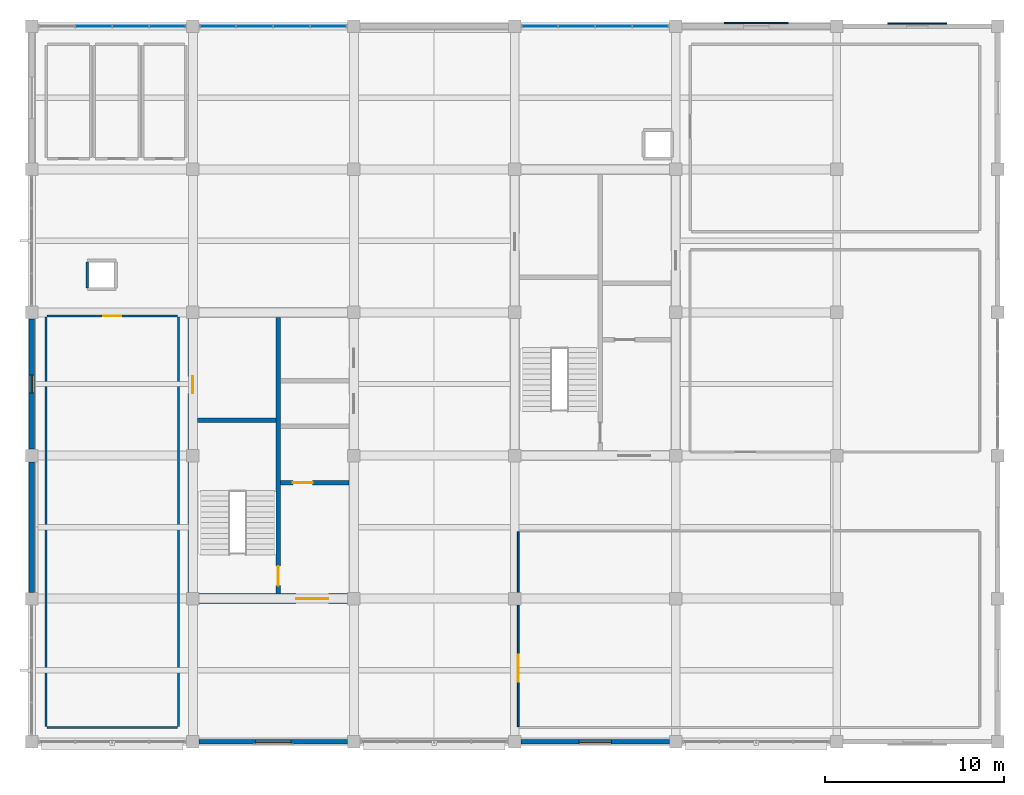
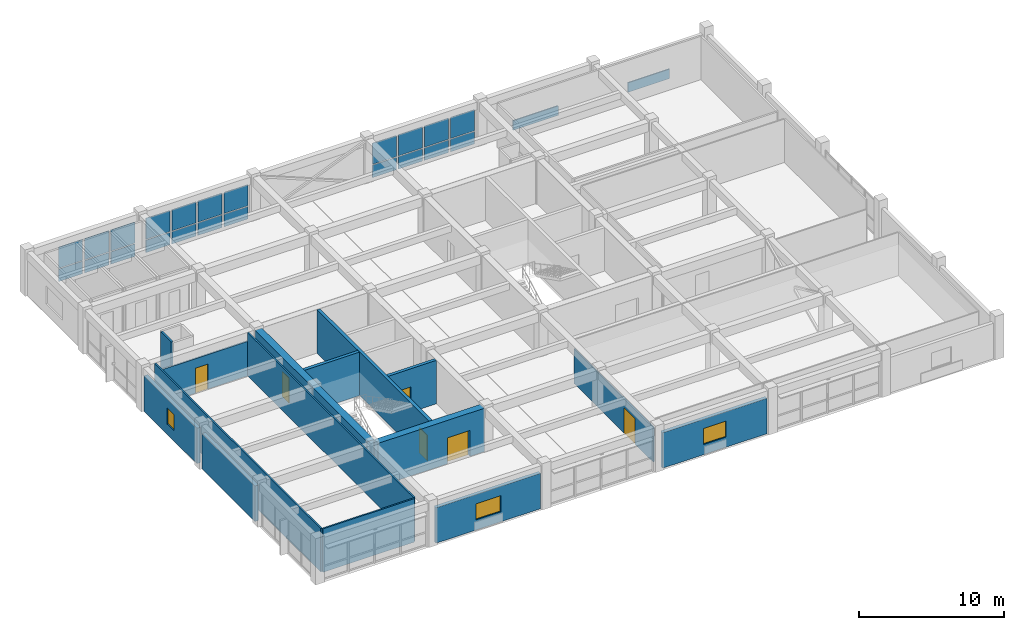
# One storey, part 10 of 13: 24 plates, 15 walls, 6 doors, 3 windows, 9 openings, 3 elements without a shape of their own.
"""IFC4 building model written with IfcOpenShell, lengths in metres."""

from ifc_helpers import new_model, si_unit, direction, frame, frame_2d, origin, place, context, subcontext, project, spatial, rectangle, extrude, material, layer, layer_set, type_object, element, fill, aggregate, save


model = new_model("IFC4")

# Units and contexts
model_context = context("Model", 3, precision=1e-05, world=origin(), true_north=direction((0.0, 1.0)))
body_context = subcontext(model_context, "Body", "Model", "MODEL_VIEW")
ifc_project = project(units=[si_unit("LENGTHUNIT", "METRE"), si_unit("AREAUNIT", "SQUARE_METRE"), si_unit("VOLUMEUNIT", "CUBIC_METRE"), si_unit("PLANEANGLEUNIT", "RADIAN"), si_unit("MASSUNIT", "GRAM", prefix="KILO")], contexts=[model_context])

# Site, building, storey
site_placement = place(None, origin())
site = spatial("IfcSite", under=ifc_project, at=site_placement, CompositionType="ELEMENT")
building_placement = place(site_placement, origin())
building = spatial("IfcBuilding", under=site, at=building_placement, Name="Zaverband Oceanarium and Marine Research Institute", CompositionType="ELEMENT")
storey_placement = place(building_placement, frame((0.0, 0.0, 64.800048828125)))
storey = spatial("IfcBuildingStorey", under=building, at=storey_placement, Name="L16", CompositionType="ELEMENT", Elevation=64.800048828125)

# Curtain wall, plates
ifc_material_1 = material(Name="Thermally broken anodized aluminium and solar-control glass", Category="aluminium")
curtain_wall_type = type_object("IfcCurtainWallType", Name="CW-UNIT-1800", PredefinedType="NOTDEFINED", material=ifc_material_1)
curtain_wall_1_placement = place(storey_placement, origin())
curtain_wall_1 = element("IfcCurtainWall", 1, at=curtain_wall_1_placement, inside=storey, type_object=curtain_wall_type, Name="Unitised glazed curtain wall CW-168", PredefinedType="NOTDEFINED")
ifc_material_2 = material(Name="Low-E double-glazed solar-control glass", Category="glass")
ifc_layer_1 = layer(ifc_material_2, 0.033935546875, Name="Low-E double-glazed solar-control glass")
ifc_layer_set_1 = layer_set([ifc_layer_1], Name="Low-E double-glazed solar-control glass")
plate_type_1 = type_object("IfcPlateType", Name="CWP-1820x1043", PredefinedType="CURTAIN_PANEL", material=ifc_layer_set_1)
plate_1_placement = place(storey_placement, frame((11.507568359375, 112.0, 0.050048828125), z_axis=(0.0, 0.0, 1.0), x_axis=(1.0, 0.0, 0.0)))
plate_1 = element("IfcPlate", 2, at=plate_1_placement, type_object=plate_type_1, Name="Glazed curtain wall panel CWP-1820x1043", PredefinedType="CURTAIN_PANEL", context=body_context, shape_type="SweptSolid", body=[
    extrude(rectangle(XDim=1.912353515625, YDim=0.033935546875, at=frame_2d((0.9560546875, 0.0))), origin(), (0.0, 0.0, 1.0), 1.04296875),
])
plate_2_placement = place(storey_placement, frame((13.580078125, 112.0, 0.050048828125), z_axis=(0.0, 0.0, 1.0), x_axis=(1.0, 0.0, 0.0)))
plate_2 = element("IfcPlate", 3, at=plate_2_placement, type_object=plate_type_1, Name="Glazed curtain wall panel CWP-1820x1043", PredefinedType="CURTAIN_PANEL", context=body_context, shape_type="SweptSolid", body=[
    extrude(rectangle(XDim=1.912353515625, YDim=0.033935546875, at=frame_2d((0.9560546875, 0.0))), origin(), (0.0, 0.0, 1.0), 1.04296875),
])
plate_3_placement = place(storey_placement, frame((15.652587890625, 112.0, 0.050048828125), z_axis=(0.0, 0.0, 1.0), x_axis=(1.0, 0.0, 0.0)))
plate_3 = element("IfcPlate", 4, at=plate_3_placement, type_object=plate_type_1, Name="Glazed curtain wall panel CWP-1820x1043", PredefinedType="CURTAIN_PANEL", context=body_context, shape_type="SweptSolid", body=[
    extrude(rectangle(XDim=1.912353515625, YDim=0.033935546875, at=frame_2d((0.9560546875, 0.0))), origin(), (0.0, 0.0, 1.0), 1.04296875),
])

curtain_wall_2_placement = place(storey_placement, origin())
curtain_wall_2 = element("IfcCurtainWall", 5, at=curtain_wall_2_placement, inside=storey, type_object=curtain_wall_type, Name="Unitised glazed curtain wall CW-169", PredefinedType="NOTDEFINED")
plate_4_placement = place(storey_placement, frame((18.43505859375, 112.0, 0.050048828125), z_axis=(0.0, 0.0, 1.0), x_axis=(1.0, 0.0, 0.0)))
plate_4 = element("IfcPlate", 6, at=plate_4_placement, type_object=plate_type_1, Name="Glazed curtain wall panel CWP-1820x1043", PredefinedType="CURTAIN_PANEL", context=body_context, shape_type="SweptSolid", body=[
    extrude(rectangle(XDim=1.912353515625, YDim=0.033935546875, at=frame_2d((0.9560546875, 0.0))), origin(), (0.0, 0.0, 1.0), 1.04296875),
])
plate_5_placement = place(storey_placement, frame((20.507568359375, 112.0, 0.050048828125), z_axis=(0.0, 0.0, 1.0), x_axis=(1.0, 0.0, 0.0)))
plate_5 = element("IfcPlate", 7, at=plate_5_placement, type_object=plate_type_1, Name="Glazed curtain wall panel CWP-1820x1043", PredefinedType="CURTAIN_PANEL", context=body_context, shape_type="SweptSolid", body=[
    extrude(rectangle(XDim=1.912353515625, YDim=0.033935546875, at=frame_2d((0.9560546875, 0.0))), origin(), (0.0, 0.0, 1.0), 1.04296875),
])
plate_6_placement = place(storey_placement, frame((22.580078125, 112.0, 0.050048828125), z_axis=(0.0, 0.0, 1.0), x_axis=(1.0, 0.0, 0.0)))
plate_6 = element("IfcPlate", 8, at=plate_6_placement, type_object=plate_type_1, Name="Glazed curtain wall panel CWP-1820x1043", PredefinedType="CURTAIN_PANEL", context=body_context, shape_type="SweptSolid", body=[
    extrude(rectangle(XDim=1.912353515625, YDim=0.033935546875, at=frame_2d((0.9560546875, 0.0))), origin(), (0.0, 0.0, 1.0), 1.04296875),
])
plate_7_placement = place(storey_placement, frame((24.652587890625, 112.0, 0.050048828125), z_axis=(0.0, 0.0, 1.0), x_axis=(1.0, 0.0, 0.0)))
plate_7 = element("IfcPlate", 9, at=plate_7_placement, type_object=plate_type_1, Name="Glazed curtain wall panel CWP-1820x1043", PredefinedType="CURTAIN_PANEL", context=body_context, shape_type="SweptSolid", body=[
    extrude(rectangle(XDim=1.912353515625, YDim=0.033935546875, at=frame_2d((0.9560546875, 0.0))), origin(), (0.0, 0.0, 1.0), 1.04296875),
])

curtain_wall_3_placement = place(storey_placement, origin())
curtain_wall_3 = element("IfcCurtainWall", 10, at=curtain_wall_3_placement, inside=storey, type_object=curtain_wall_type, Name="Unitised glazed curtain wall CW-170", PredefinedType="NOTDEFINED")
plate_8_placement = place(storey_placement, frame((36.43505859375, 112.0, 0.050048828125), z_axis=(0.0, 0.0, 1.0), x_axis=(1.0, 0.0, 0.0)))
plate_8 = element("IfcPlate", 11, at=plate_8_placement, type_object=plate_type_1, Name="Glazed curtain wall panel CWP-1820x1043", PredefinedType="CURTAIN_PANEL", context=body_context, shape_type="SweptSolid", body=[
    extrude(rectangle(XDim=1.912353515625, YDim=0.033935546875, at=frame_2d((0.9560546875, 0.0))), origin(), (0.0, 0.0, 1.0), 1.04296875),
])
plate_9_placement = place(storey_placement, frame((38.507568359375, 112.0, 0.050048828125), z_axis=(0.0, 0.0, 1.0), x_axis=(1.0, 0.0, 0.0)))
plate_9 = element("IfcPlate", 12, at=plate_9_placement, type_object=plate_type_1, Name="Glazed curtain wall panel CWP-1820x1043", PredefinedType="CURTAIN_PANEL", context=body_context, shape_type="SweptSolid", body=[
    extrude(rectangle(XDim=1.912353515625, YDim=0.033935546875, at=frame_2d((0.9560546875, 0.0))), origin(), (0.0, 0.0, 1.0), 1.04296875),
])
plate_10_placement = place(storey_placement, frame((40.580078125, 112.0, 0.050048828125), z_axis=(0.0, 0.0, 1.0), x_axis=(1.0, 0.0, 0.0)))
plate_10 = element("IfcPlate", 13, at=plate_10_placement, type_object=plate_type_1, Name="Glazed curtain wall panel CWP-1820x1043", PredefinedType="CURTAIN_PANEL", context=body_context, shape_type="SweptSolid", body=[
    extrude(rectangle(XDim=1.912353515625, YDim=0.033935546875, at=frame_2d((0.9560546875, 0.0))), origin(), (0.0, 0.0, 1.0), 1.04296875),
])
plate_11_placement = place(storey_placement, frame((42.652587890625, 112.0, 0.050048828125), z_axis=(0.0, 0.0, 1.0), x_axis=(1.0, 0.0, 0.0)))
plate_11 = element("IfcPlate", 14, at=plate_11_placement, type_object=plate_type_1, Name="Glazed curtain wall panel CWP-1820x1043", PredefinedType="CURTAIN_PANEL", context=body_context, shape_type="SweptSolid", body=[
    extrude(rectangle(XDim=1.912353515625, YDim=0.033935546875, at=frame_2d((0.9560546875, 0.0))), origin(), (0.0, 0.0, 1.0), 1.04296875),
])

# Plate
ifc_layer_2 = layer(ifc_material_2, 0.035888671875, Name="Low-E double-glazed solar-control glass")
ifc_layer_set_2 = layer_set([ifc_layer_2], Name="Low-E double-glazed solar-control glass")
plate_type_2 = type_object("IfcPlateType", Name="CWP-1820x1777", PredefinedType="CURTAIN_PANEL", material=ifc_layer_set_2)
plate_12_placement = place(storey_placement, frame((11.507568359375, 112.0, 1.162841796875), z_axis=(0.0, 0.0, 1.0), x_axis=(1.0, 0.0, 0.0)))
plate_12 = element("IfcPlate", 15, at=plate_12_placement, type_object=plate_type_2, Name="Glazed curtain wall panel CWP-1820x1777", PredefinedType="CURTAIN_PANEL", context=body_context, shape_type="SweptSolid", body=[
    extrude(rectangle(XDim=1.912353515625, YDim=0.035888671875, at=frame_2d((0.9560546875, 0.0))), origin(), (0.0, 0.0, 1.0), 1.777099609375),
])

plate_13_placement = place(storey_placement, frame((13.580078125, 112.0, 1.162841796875), z_axis=(0.0, 0.0, 1.0), x_axis=(1.0, 0.0, 0.0)))
plate_13 = element("IfcPlate", 16, at=plate_13_placement, type_object=plate_type_2, Name="Glazed curtain wall panel CWP-1820x1777", PredefinedType="CURTAIN_PANEL", context=body_context, shape_type="SweptSolid", body=[
    extrude(rectangle(XDim=1.912353515625, YDim=0.035888671875, at=frame_2d((0.9560546875, 0.0))), origin(), (0.0, 0.0, 1.0), 1.777099609375),
])

plate_14_placement = place(storey_placement, frame((15.652587890625, 112.0, 1.162841796875), z_axis=(0.0, 0.0, 1.0), x_axis=(1.0, 0.0, 0.0)))
plate_14 = element("IfcPlate", 17, at=plate_14_placement, type_object=plate_type_2, Name="Glazed curtain wall panel CWP-1820x1777", PredefinedType="CURTAIN_PANEL", context=body_context, shape_type="SweptSolid", body=[
    extrude(rectangle(XDim=1.912353515625, YDim=0.035888671875, at=frame_2d((0.9560546875, 0.0))), origin(), (0.0, 0.0, 1.0), 1.777099609375),
])

aggregate(curtain_wall_1, [plate_1, plate_12, plate_2, plate_13, plate_3, plate_14])

plate_15_placement = place(storey_placement, frame((18.43505859375, 112.0, 1.162841796875), z_axis=(0.0, 0.0, 1.0), x_axis=(1.0, 0.0, 0.0)))
plate_15 = element("IfcPlate", 18, at=plate_15_placement, type_object=plate_type_2, Name="Glazed curtain wall panel CWP-1820x1777", PredefinedType="CURTAIN_PANEL", context=body_context, shape_type="SweptSolid", body=[
    extrude(rectangle(XDim=1.912353515625, YDim=0.035888671875, at=frame_2d((0.9560546875, 0.0))), origin(), (0.0, 0.0, 1.0), 1.777099609375),
])

plate_16_placement = place(storey_placement, frame((20.507568359375, 112.0, 1.162841796875), z_axis=(0.0, 0.0, 1.0), x_axis=(1.0, 0.0, 0.0)))
plate_16 = element("IfcPlate", 19, at=plate_16_placement, type_object=plate_type_2, Name="Glazed curtain wall panel CWP-1820x1777", PredefinedType="CURTAIN_PANEL", context=body_context, shape_type="SweptSolid", body=[
    extrude(rectangle(XDim=1.912353515625, YDim=0.035888671875, at=frame_2d((0.9560546875, 0.0))), origin(), (0.0, 0.0, 1.0), 1.777099609375),
])

plate_17_placement = place(storey_placement, frame((22.580078125, 112.0, 1.162841796875), z_axis=(0.0, 0.0, 1.0), x_axis=(1.0, 0.0, 0.0)))
plate_17 = element("IfcPlate", 20, at=plate_17_placement, type_object=plate_type_2, Name="Glazed curtain wall panel CWP-1820x1777", PredefinedType="CURTAIN_PANEL", context=body_context, shape_type="SweptSolid", body=[
    extrude(rectangle(XDim=1.912353515625, YDim=0.035888671875, at=frame_2d((0.9560546875, 0.0))), origin(), (0.0, 0.0, 1.0), 1.777099609375),
])

plate_18_placement = place(storey_placement, frame((24.652587890625, 112.0, 1.162841796875), z_axis=(0.0, 0.0, 1.0), x_axis=(1.0, 0.0, 0.0)))
plate_18 = element("IfcPlate", 21, at=plate_18_placement, type_object=plate_type_2, Name="Glazed curtain wall panel CWP-1820x1777", PredefinedType="CURTAIN_PANEL", context=body_context, shape_type="SweptSolid", body=[
    extrude(rectangle(XDim=1.912353515625, YDim=0.035888671875, at=frame_2d((0.9560546875, 0.0))), origin(), (0.0, 0.0, 1.0), 1.777099609375),
])

aggregate(curtain_wall_2, [plate_4, plate_15, plate_5, plate_16, plate_6, plate_17, plate_7, plate_18])

plate_19_placement = place(storey_placement, frame((36.43505859375, 112.0, 1.162841796875), z_axis=(0.0, 0.0, 1.0), x_axis=(1.0, 0.0, 0.0)))
plate_19 = element("IfcPlate", 22, at=plate_19_placement, type_object=plate_type_2, Name="Glazed curtain wall panel CWP-1820x1777", PredefinedType="CURTAIN_PANEL", context=body_context, shape_type="SweptSolid", body=[
    extrude(rectangle(XDim=1.912353515625, YDim=0.035888671875, at=frame_2d((0.9560546875, 0.0))), origin(), (0.0, 0.0, 1.0), 1.777099609375),
])

plate_20_placement = place(storey_placement, frame((38.507568359375, 112.0, 1.162841796875), z_axis=(0.0, 0.0, 1.0), x_axis=(1.0, 0.0, 0.0)))
plate_20 = element("IfcPlate", 23, at=plate_20_placement, type_object=plate_type_2, Name="Glazed curtain wall panel CWP-1820x1777", PredefinedType="CURTAIN_PANEL", context=body_context, shape_type="SweptSolid", body=[
    extrude(rectangle(XDim=1.912353515625, YDim=0.035888671875, at=frame_2d((0.9560546875, 0.0))), origin(), (0.0, 0.0, 1.0), 1.777099609375),
])

plate_21_placement = place(storey_placement, frame((40.580078125, 112.0, 1.162841796875), z_axis=(0.0, 0.0, 1.0), x_axis=(1.0, 0.0, 0.0)))
plate_21 = element("IfcPlate", 24, at=plate_21_placement, type_object=plate_type_2, Name="Glazed curtain wall panel CWP-1820x1777", PredefinedType="CURTAIN_PANEL", context=body_context, shape_type="SweptSolid", body=[
    extrude(rectangle(XDim=1.912353515625, YDim=0.035888671875, at=frame_2d((0.9560546875, 0.0))), origin(), (0.0, 0.0, 1.0), 1.777099609375),
])

plate_22_placement = place(storey_placement, frame((42.652587890625, 112.0, 1.162841796875), z_axis=(0.0, 0.0, 1.0), x_axis=(1.0, 0.0, 0.0)))
plate_22 = element("IfcPlate", 25, at=plate_22_placement, type_object=plate_type_2, Name="Glazed curtain wall panel CWP-1820x1777", PredefinedType="CURTAIN_PANEL", context=body_context, shape_type="SweptSolid", body=[
    extrude(rectangle(XDim=1.912353515625, YDim=0.035888671875, at=frame_2d((0.9560546875, 0.0))), origin(), (0.0, 0.0, 1.0), 1.777099609375),
])

aggregate(curtain_wall_3, [plate_8, plate_19, plate_9, plate_20, plate_10, plate_21, plate_11, plate_22])

# Plates
ifc_material_3 = material(Name="Concrete C40/50 precast ochre", Category="concrete")
ifc_layer_3 = layer(ifc_material_3, 0.0849609375, Name="Concrete C40/50 precast ochre")
ifc_layer_set_3 = layer_set([ifc_layer_3], Name="Concrete C40/50 precast ochre")
plate_type_3 = type_object("IfcPlateType", Name="FRP-3300x800", PredefinedType="USERDEFINED", material=ifc_layer_set_3)
plate_23_placement = place(storey_placement, frame((56.85009765625, 112.159912109375, 0.0), z_axis=(0.0, 0.0, 1.0), x_axis=(1.0, 0.0, 0.0)))
element("IfcPlate", 26, at=plate_23_placement, inside=storey, type_object=plate_type_3, Name="Geometric precast facade cladding panel FRP-3300x800", ObjectType="FLANGE_PLATE", PredefinedType="USERDEFINED", context=body_context, shape_type="SweptSolid", body=[
    extrude(rectangle(XDim=3.2998046875, YDim=0.0849609375, at=frame_2d((1.64990234375, 0.0))), origin(), (0.0, 0.0, 1.0), 0.800048828125),
])
ifc_layer_4 = layer(ifc_material_3, 0.0849609375, Name="Concrete C40/50 precast ochre")
ifc_layer_set_4 = layer_set([ifc_layer_4], Name="Concrete C40/50 precast ochre")
plate_type_4 = type_object("IfcPlateType", Name="FRP-3600x800", PredefinedType="USERDEFINED", material=ifc_layer_set_4)
plate_24_placement = place(storey_placement, frame((47.699951171875, 112.172607421875, 0.0), z_axis=(0.0, 0.0, 1.0), x_axis=(1.0, 0.0, 0.0)))
element("IfcPlate", 27, at=plate_24_placement, inside=storey, type_object=plate_type_4, Name="Geometric precast facade cladding panel FRP-3600x800", ObjectType="FLANGE_PLATE", PredefinedType="USERDEFINED", context=body_context, shape_type="SweptSolid", body=[
    extrude(rectangle(XDim=3.60009765625, YDim=0.0849609375, at=frame_2d((1.800048828125, 0.0))), origin(), (0.0, 0.0, 1.0), 0.800048828125),
])

# Wall, opening, door
ifc_material_4 = material(Name="Concrete C50/60", Category="concrete")
ifc_layer_5 = layer(ifc_material_4, 0.550048828125, Name="Concrete C50/60")
ifc_layer_set_5 = layer_set([ifc_layer_5], Name="Concrete C50/60")
wall_type_1 = type_object("IfcWallType", Name="CW-01", PredefinedType="SHEAR", material=ifc_layer_set_5)
wall_1_placement = place(storey_placement, frame((18.27490234375, 80.0, 0.0), z_axis=(0.0, 0.0, 1.0), x_axis=(1.0, 0.0, 0.0)))
wall_1 = element("IfcWall", 28, at=wall_1_placement, inside=storey, type_object=wall_type_1, Name="Structural shear wall CW-01", PredefinedType="SHEAR", context=body_context, shape_type="SweptSolid", body=[
    extrude(rectangle(XDim=8.4501953125, YDim=0.550048828125, at=frame_2d((4.22509765625, 0.0))), origin(), (0.0, 0.0, 1.0), 3.64990234375),
])
opening_1_placement = place(wall_1_placement, frame((5.5, 0.0, 0.0)))
opening_1 = element("IfcOpeningElement", 29, at=opening_1_placement, cuts=wall_1, Name="Opening FD-02", PredefinedType="OPENING", context=body_context, shape_type="SweptSolid", body=[
    extrude(rectangle(XDim=1.800048828125, YDim=2.179931640625, at=frame_2d((0.89990234375, 1.08984375))), frame((0.0, 0.287109375, 0.0), z_axis=(0.0, -1.0, 0.0), x_axis=(1.0, 0.0, 0.0)), (0.0, 0.0, 1.0), 0.573974609375),
])
ifc_material_5 = material(Name="Steel S355", Category="steel")
door_type_1 = type_object("IfcDoorType", Name="FD-02", OperationType="DOUBLE_DOOR_SINGLE_SWING", PredefinedType="DOOR", material=ifc_material_5)
door_1_placement = place(opening_1_placement, origin())
door_1 = element("IfcDoor", 30, at=door_1_placement, inside=storey, type_object=door_type_1, Name="Protected lobby double fire door FD-02", OperationType="DOUBLE_DOOR_SINGLE_SWING", OverallHeight=2.179931640625, OverallWidth=1.800048828125, PredefinedType="DOOR", context=body_context, shape_type="SweptSolid", body=[
    extrude(rectangle(XDim=1.800048828125, YDim=2.179931640625, at=frame_2d((0.89990234375, 1.08984375))), frame((0.0, 0.02490234375, 0.0), z_axis=(0.0, -1.0, 0.0), x_axis=(1.0, 0.0, 0.0)), (0.0, 0.0, 1.0), 0.050048828125),
])
fill(opening_1, door_1)

wall_2_placement = place(storey_placement, frame((18.0, 80.27490234375, 0.0), z_axis=(0.0, 0.0, 1.0), x_axis=(0.0, 1.0, 0.0)))
wall_2 = element("IfcWall", 31, at=wall_2_placement, inside=storey, type_object=wall_type_1, Name="Structural shear wall CW-01", PredefinedType="SHEAR", context=body_context, shape_type="SweptSolid", body=[
    extrude(rectangle(XDim=15.4501953125, YDim=0.550048828125, at=frame_2d((7.72509765625, 0.0))), origin(), (0.0, 0.0, 1.0), 3.64990234375),
])
opening_2_placement = place(wall_2_placement, frame((11.199951171875, 0.0, 0.0)))
opening_2 = element("IfcOpeningElement", 32, at=opening_2_placement, cuts=wall_2, Name="Opening FD-03", PredefinedType="OPENING", context=body_context, shape_type="SweptSolid", body=[
    extrude(rectangle(XDim=0.949951171875, YDim=2.10009765625, at=frame_2d((0.47509765625, 1.050048828125))), frame((0.0, 0.287109375, 0.0), z_axis=(0.0, -1.0, 0.0), x_axis=(1.0, 0.0, 0.0)), (0.0, 0.0, 1.0), 0.573974609375),
])
door_type_2 = type_object("IfcDoorType", Name="FD-03", OperationType="NOTDEFINED", PredefinedType="DOOR", material=ifc_material_5)
door_2_placement = place(opening_2_placement, origin())
door_2 = element("IfcDoor", 33, at=door_2_placement, inside=storey, type_object=door_type_2, Name="Service riser access fire door FD-03", OperationType="SINGLE_SWING_RIGHT", OverallHeight=2.10009765625, OverallWidth=0.949951171875, PredefinedType="DOOR", context=body_context, shape_type="SweptSolid", body=[
    extrude(rectangle(XDim=0.949951171875, YDim=2.10009765625, at=frame_2d((0.47509765625, 1.050048828125))), frame((0.0, 0.02490234375, 0.0), z_axis=(0.0, -1.0, 0.0), x_axis=(1.0, 0.0, 0.0)), (0.0, 0.0, 1.0), 0.050048828125),
])
fill(opening_2, door_2)

# Wall, opening, window
ifc_material_6 = material(Name="Concrete C40/50 precast", Category="concrete")
ifc_layer_6 = layer(ifc_material_6, 0.264892578125, Name="Concrete C40/50 precast")
ifc_layer_set_6 = layer_set([ifc_layer_6], Name="Concrete C40/50 precast")
wall_type_2 = type_object("IfcWallType", Name="EW-265", PredefinedType="STANDARD", material=ifc_layer_set_6)
wall_3_placement = place(storey_placement, frame((18.35498046875, 72.0, 0.0), z_axis=(0.0, 0.0, 1.0), x_axis=(1.0, 0.0, 0.0)))
wall_3 = element("IfcWall", 34, at=wall_3_placement, inside=storey, type_object=wall_type_2, Name="Exterior infill wall EW-265", PredefinedType="STANDARD", context=body_context, shape_type="SweptSolid", body=[
    extrude(rectangle(XDim=8.2900390625, YDim=0.264892578125, at=frame_2d((4.14501953125, 0.0))), origin(), (0.0, 0.0, 1.0), 2.97998046875),
])
opening_3_placement = place(wall_3_placement, frame((3.14501953125, 0.0, 0.85009765625)))
opening_3 = element("IfcOpeningElement", 35, at=opening_3_placement, cuts=wall_3, Name="Opening WN-2000x1350", PredefinedType="OPENING", context=body_context, shape_type="SweptSolid", body=[
    extrude(rectangle(XDim=2.0, YDim=1.35009765625, at=frame_2d((1.0, 0.675048828125))), frame((0.0, 0.14453125, 0.0), z_axis=(0.0, -1.0, 0.0), x_axis=(1.0, 0.0, 0.0)), (0.0, 0.0, 1.0), 0.288818359375),
])
window_type_1 = type_object("IfcWindowType", Name="WN-2000x1350", PartitioningType="SINGLE_PANEL", PredefinedType="WINDOW", material=ifc_material_1)
window_1_placement = place(opening_3_placement, origin())
window_1 = element("IfcWindow", 36, at=window_1_placement, inside=storey, type_object=window_type_1, Name="Fixed / casement exterior window WN-2000x1350", OverallHeight=1.35009765625, OverallWidth=2.0, PartitioningType="SINGLE_PANEL", PredefinedType="WINDOW", context=body_context, shape_type="SweptSolid", body=[
    extrude(rectangle(XDim=2.0, YDim=1.35009765625, at=frame_2d((1.0, 0.675048828125))), frame((0.0, 0.030029296875, 0.0), z_axis=(0.0, -1.0, 0.0), x_axis=(1.0, 0.0, 0.0)), (0.0, 0.0, 1.0), 0.06005859375),
])
fill(opening_3, window_1)

wall_4_placement = place(storey_placement, frame((36.35498046875, 72.0, 0.0), z_axis=(0.0, 0.0, 1.0), x_axis=(1.0, 0.0, 0.0)))
wall_4 = element("IfcWall", 37, at=wall_4_placement, inside=storey, type_object=wall_type_2, Name="Exterior infill wall EW-265", PredefinedType="STANDARD", context=body_context, shape_type="SweptSolid", body=[
    extrude(rectangle(XDim=8.2900390625, YDim=0.264892578125, at=frame_2d((4.14501953125, 0.0))), origin(), (0.0, 0.0, 1.0), 2.97998046875),
])
opening_4_placement = place(wall_4_placement, frame((3.2451171875, 0.0, 0.85009765625)))
opening_4 = element("IfcOpeningElement", 38, at=opening_4_placement, cuts=wall_4, Name="Opening WN-1800x1350", PredefinedType="OPENING", context=body_context, shape_type="SweptSolid", body=[
    extrude(rectangle(XDim=1.800048828125, YDim=1.35009765625, at=frame_2d((0.89990234375, 0.675048828125))), frame((0.0, 0.14453125, 0.0), z_axis=(0.0, -1.0, 0.0), x_axis=(1.0, 0.0, 0.0)), (0.0, 0.0, 1.0), 0.288818359375),
])
window_type_2 = type_object("IfcWindowType", Name="WN-1800x1350", PartitioningType="SINGLE_PANEL", PredefinedType="WINDOW", material=ifc_material_1)
window_2_placement = place(opening_4_placement, origin())
window_2 = element("IfcWindow", 39, at=window_2_placement, inside=storey, type_object=window_type_2, Name="Fixed / casement exterior window WN-1800x1350", OverallHeight=1.35009765625, OverallWidth=1.800048828125, PartitioningType="SINGLE_PANEL", PredefinedType="WINDOW", context=body_context, shape_type="SweptSolid", body=[
    extrude(rectangle(XDim=1.800048828125, YDim=1.35009765625, at=frame_2d((0.89990234375, 0.675048828125))), frame((0.0, 0.030029296875, 0.0), z_axis=(0.0, -1.0, 0.0), x_axis=(1.0, 0.0, 0.0)), (0.0, 0.0, 1.0), 0.06005859375),
])
fill(opening_4, window_2)

# Wall
ifc_layer_7 = layer(ifc_material_6, 0.2900390625, Name="Concrete C40/50 precast")
ifc_layer_set_7 = layer_set([ifc_layer_7], Name="Concrete C40/50 precast")
wall_type_3 = type_object("IfcWallType", Name="EW-290", PredefinedType="STANDARD", material=ifc_layer_set_7)
wall_5_placement = place(storey_placement, frame((9.0, 80.35498046875, 0.0), z_axis=(0.0, 0.0, 1.0), x_axis=(0.0, 1.0, 0.0)))
element("IfcWall", 40, at=wall_5_placement, inside=storey, type_object=wall_type_3, Name="Exterior infill wall EW-290", PredefinedType="STANDARD", context=body_context, shape_type="SweptSolid", body=[
    extrude(rectangle(XDim=7.2900390625, YDim=0.2900390625, at=frame_2d((3.64501953125, 0.0))), origin(), (0.0, 0.0, 1.0), 2.97998046875),
])

# Wall, opening, window
wall_6_placement = place(storey_placement, frame((9.0, 88.35498046875, 0.0), z_axis=(0.0, 0.0, 1.0), x_axis=(0.0, 1.0, 0.0)))
wall_6 = element("IfcWall", 41, at=wall_6_placement, inside=storey, type_object=wall_type_3, Name="Exterior infill wall EW-290", PredefinedType="STANDARD", context=body_context, shape_type="SweptSolid", body=[
    extrude(rectangle(XDim=7.2900390625, YDim=0.2900390625, at=frame_2d((3.64501953125, 0.0))), origin(), (0.0, 0.0, 1.0), 2.97998046875),
])
opening_5_placement = place(wall_6_placement, frame((3.14501953125, 0.0, 0.85009765625)))
opening_5 = element("IfcOpeningElement", 42, at=opening_5_placement, cuts=wall_6, Name="Opening WN-1000x1350", PredefinedType="OPENING", context=body_context, shape_type="SweptSolid", body=[
    extrude(rectangle(XDim=1.0, YDim=1.35009765625, at=frame_2d((0.5, 0.675048828125))), frame((0.0, 0.156982421875, 0.0), z_axis=(0.0, -1.0, 0.0), x_axis=(1.0, 0.0, 0.0)), (0.0, 0.0, 1.0), 0.31396484375),
])
window_type_3 = type_object("IfcWindowType", Name="WN-1000x1350", PartitioningType="SINGLE_PANEL", PredefinedType="WINDOW", material=ifc_material_1)
window_3_placement = place(opening_5_placement, origin())
window_3 = element("IfcWindow", 43, at=window_3_placement, inside=storey, type_object=window_type_3, Name="Fixed / casement exterior window WN-1000x1350", OverallHeight=1.35009765625, OverallWidth=1.0, PartitioningType="SINGLE_PANEL", PredefinedType="WINDOW", context=body_context, shape_type="SweptSolid", body=[
    extrude(rectangle(XDim=1.0, YDim=1.35009765625, at=frame_2d((0.5, 0.675048828125))), frame((0.0, 0.030029296875, 0.0), z_axis=(0.0, -1.0, 0.0), x_axis=(1.0, 0.0, 0.0)), (0.0, 0.0, 1.0), 0.06005859375),
])
fill(opening_5, window_3)

# Wall, opening, door
ifc_material_7 = material(Name="Framed fire-rated glass laboratory partition", Category="glass")
ifc_layer_8 = layer(ifc_material_7, 0.10009765625, Name="Framed fire-rated glass laboratory partition")
ifc_layer_set_8 = layer_set([ifc_layer_8], Name="Framed fire-rated glass laboratory partition")
wall_type_4 = type_object("IfcWallType", Name="PT-100-GL", PredefinedType="PARTITIONING", material=ifc_layer_set_8)
wall_7_placement = place(storey_placement, frame((36.199951171875, 72.85009765625, 0.0), z_axis=(0.0, 0.0, 1.0), x_axis=(0.0, 1.0, 0.0)))
wall_7 = element("IfcWall", 44, at=wall_7_placement, inside=storey, type_object=wall_type_4, Name="Internal partition PT-100-GL", PredefinedType="PARTITIONING", context=body_context, shape_type="SweptSolid", body=[
    extrude(rectangle(XDim=10.89990234375, YDim=0.10009765625, at=frame_2d((5.449951171875, 0.0))), origin(), (0.0, 0.0, 1.0), 2.89990234375),
])
opening_6_placement = place(wall_7_placement, frame((2.5, 0.0, 0.0)))
opening_6 = element("IfcOpeningElement", 45, at=opening_6_placement, cuts=wall_7, Name="Opening ID-1520x2150", PredefinedType="OPENING", context=body_context, shape_type="SweptSolid", body=[
    extrude(rectangle(XDim=1.52001953125, YDim=2.14990234375, at=frame_2d((0.760009765625, 1.074951171875))), frame((0.0, 0.06201171875, 0.0), z_axis=(0.0, -1.0, 0.0), x_axis=(1.0, 0.0, 0.0)), (0.0, 0.0, 1.0), 0.1240234375),
])
ifc_material_8 = material(Name="Hardwood-veneered acoustic timber", Category="wood")
door_type_3 = type_object("IfcDoorType", Name="ID-1520x2150", OperationType="DOUBLE_DOOR_SINGLE_SWING", PredefinedType="DOOR", material=ifc_material_8)
door_3_placement = place(opening_6_placement, origin())
door_3 = element("IfcDoor", 46, at=door_3_placement, inside=storey, type_object=door_type_3, Name="Seminar double swing door ID-1520x2150", OperationType="DOUBLE_DOOR_SINGLE_SWING", OverallHeight=2.14990234375, OverallWidth=1.52001953125, PredefinedType="DOOR", context=body_context, shape_type="SweptSolid", body=[
    extrude(rectangle(XDim=1.52001953125, YDim=2.14990234375, at=frame_2d((0.760009765625, 1.074951171875))), frame((0.0, 0.02490234375, 0.0), z_axis=(0.0, -1.0, 0.0), x_axis=(1.0, 0.0, 0.0)), (0.0, 0.0, 1.0), 0.050048828125),
])
fill(opening_6, door_3)

# Wall
ifc_material_9 = material(Name="Insulated metal-stud office partition")
ifc_layer_9 = layer(ifc_material_9, 0.1201171875, Name="Insulated metal-stud office partition")
ifc_layer_set_9 = layer_set([ifc_layer_9], Name="Insulated metal-stud office partition")
wall_type_5 = type_object("IfcWallType", Name="PT-120-OF", PredefinedType="PARTITIONING", material=ifc_layer_set_9)
wall_8_placement = place(storey_placement, frame((9.860107421875, 72.800048828125, 0.0), z_axis=(0.0, 0.0, 1.0), x_axis=(1.0, 0.0, 0.0)))
element("IfcWall", 47, at=wall_8_placement, inside=storey, type_object=wall_type_5, Name="Internal partition PT-120-OF", PredefinedType="PARTITIONING", context=body_context, shape_type="SweptSolid", body=[
    extrude(rectangle(XDim=7.27978515625, YDim=0.1201171875, at=frame_2d((3.639892578125, 0.0))), origin(), (0.0, 0.0, 1.0), 3.64990234375),
])

# Wall, opening, door
wall_9_placement = place(storey_placement, frame((9.860107421875, 95.800048828125, 0.0), z_axis=(0.0, 0.0, 1.0), x_axis=(1.0, 0.0, 0.0)))
wall_9 = element("IfcWall", 48, at=wall_9_placement, inside=storey, type_object=wall_type_5, Name="Internal partition PT-120-OF", PredefinedType="PARTITIONING", context=body_context, shape_type="SweptSolid", body=[
    extrude(rectangle(XDim=7.27978515625, YDim=0.1201171875, at=frame_2d((3.639892578125, 0.0))), origin(), (0.0, 0.0, 1.0), 2.89990234375),
])
opening_7_placement = place(wall_9_placement, frame((3.14501953125, 0.0, 0.0)))
opening_7 = element("IfcOpeningElement", 49, at=opening_7_placement, cuts=wall_9, Name="Opening ID-990x2100", PredefinedType="OPENING", context=body_context, shape_type="SweptSolid", body=[
    extrude(rectangle(XDim=0.989990234375, YDim=2.10009765625, at=frame_2d((0.4951171875, 1.050048828125))), frame((0.0, 0.072021484375, 0.0), z_axis=(0.0, -1.0, 0.0), x_axis=(1.0, 0.0, 0.0)), (0.0, 0.0, 1.0), 0.14404296875),
])
door_type_4 = type_object("IfcDoorType", Name="ID-990x2100", OperationType="NOTDEFINED", PredefinedType="DOOR", material=ifc_material_8)
door_4_placement = place(opening_7_placement, origin())
door_4 = element("IfcDoor", 50, at=door_4_placement, inside=storey, type_object=door_type_4, Name="Senior fellow office door ID-990x2100", OperationType="SINGLE_SWING_RIGHT", OverallHeight=2.10009765625, OverallWidth=0.989990234375, PredefinedType="DOOR", context=body_context, shape_type="SweptSolid", body=[
    extrude(rectangle(XDim=0.989990234375, YDim=2.10009765625, at=frame_2d((0.4951171875, 1.050048828125))), frame((0.0, 0.02490234375, 0.0), z_axis=(0.0, -1.0, 0.0), x_axis=(1.0, 0.0, 0.0)), (0.0, 0.0, 1.0), 0.050048828125),
])
fill(opening_7, door_4)

# Walls
for number, where, z_axis, x_axis, name in (
    (51, (9.800048828125, 72.860107421875, 0.0), (0.0, 0.0, 1.0), (0.0, 1.0, 0.0), "Internal partition PT-120-OF"),
    (52, (17.199951171875, 72.860107421875, 0.0), (0.0, 0.0, 1.0), (0.0, 1.0, 0.0), "Internal partition PT-120-OF"),
):
    element("IfcWall", number, at=place(storey_placement, frame(where, z_axis=z_axis, x_axis=x_axis)), inside=storey, type_object=wall_type_5, Name=name, PredefinedType="PARTITIONING", context=body_context, shape_type="SweptSolid", body=[
        extrude(rectangle(XDim=22.8798828125, YDim=0.1201171875, at=frame_2d((11.43994140625, 0.0))), origin(), (0.0, 0.0, 1.0), 3.64990234375),
    ])
ifc_material_10 = material(Name="Corridor rated drywall partition")
ifc_layer_10 = layer(ifc_material_10, 0.1650390625, Name="Corridor rated drywall partition")
ifc_layer_set_10 = layer_set([ifc_layer_10], Name="Corridor rated drywall partition")
wall_type_6 = type_object("IfcWallType", Name="PT-165-CR", PredefinedType="PARTITIONING", material=ifc_layer_set_10)
wall_10_placement = place(storey_placement, frame((12.10009765625, 97.3798828125, 0.0), z_axis=(0.0, 0.0, 1.0), x_axis=(0.0, 1.0, 0.0)))
element("IfcWall", 53, at=wall_10_placement, inside=storey, type_object=wall_type_6, Name="Internal partition PT-165-CR", PredefinedType="PARTITIONING", context=body_context, shape_type="SweptSolid", body=[
    extrude(rectangle(XDim=1.440185546875, YDim=0.1650390625, at=frame_2d((0.72021484375, 0.0))), origin(), (0.0, 0.0, 1.0), 3.64990234375),
])

# Wall, opening, door
ifc_layer_11 = layer(ifc_material_4, 0.25, Name="Concrete C50/60")
ifc_layer_set_11 = layer_set([ifc_layer_11], Name="Concrete C50/60")
wall_type_7 = type_object("IfcWallType", Name="PW-CORE-250", PredefinedType="SOLIDWALL", material=ifc_layer_set_11)
wall_11_placement = place(storey_placement, frame((22.77490234375, 80.27490234375, 0.0), z_axis=(0.0, 0.0, 1.0), x_axis=(0.0, 1.0, 0.0)))
wall_11 = element("IfcWall", 54, at=wall_11_placement, inside=storey, type_object=wall_type_7, Name="Structural concrete wall PW-CORE-250", PredefinedType="SOLIDWALL", context=body_context, shape_type="SweptSolid", body=[
    extrude(rectangle(XDim=15.4501953125, YDim=0.25, at=frame_2d((7.72509765625, 0.0))), origin(), (0.0, 0.0, 1.0), 3.64990234375),
])
opening_8_placement = place(wall_11_placement, frame((0.449951171875, 0.0, 0.0)))
opening_8 = element("IfcOpeningElement", 55, at=opening_8_placement, cuts=wall_11, Name="Opening FD-01", PredefinedType="OPENING", context=body_context, shape_type="SweptSolid", body=[
    extrude(rectangle(XDim=1.10009765625, YDim=2.14990234375, at=frame_2d((0.550048828125, 1.074951171875))), frame((0.0, 0.136962890625, 0.0), z_axis=(0.0, -1.0, 0.0), x_axis=(1.0, 0.0, 0.0)), (0.0, 0.0, 1.0), 0.27392578125),
])
door_type_5 = type_object("IfcDoorType", Name="FD-01", OperationType="NOTDEFINED", PredefinedType="DOOR", material=ifc_material_5)
door_5_placement = place(opening_8_placement, origin())
door_5 = element("IfcDoor", 56, at=door_5_placement, inside=storey, type_object=door_type_5, Name="Core stair / lobby fire door FD-01", OperationType="SINGLE_SWING_LEFT", OverallHeight=2.14990234375, OverallWidth=1.10009765625, PredefinedType="DOOR", context=body_context, shape_type="SweptSolid", body=[
    extrude(rectangle(XDim=1.10009765625, YDim=2.14990234375, at=frame_2d((0.550048828125, 1.074951171875))), frame((0.0, 0.02490234375, 0.0), z_axis=(0.0, -1.0, 0.0), x_axis=(1.0, 0.0, 0.0)), (0.0, 0.0, 1.0), 0.050048828125),
])
fill(opening_8, door_5)

# Wall
wall_12_placement = place(storey_placement, frame((18.27490234375, 89.97509765625, 0.0), z_axis=(0.0, 0.0, 1.0), x_axis=(1.0, 0.0, 0.0)))
element("IfcWall", 57, at=wall_12_placement, inside=storey, type_object=wall_type_7, Name="Structural concrete wall PW-CORE-250", PredefinedType="SOLIDWALL", context=body_context, shape_type="SweptSolid", body=[
    extrude(rectangle(XDim=4.3701171875, YDim=0.25, at=frame_2d((2.18505859375, 0.0))), origin(), (0.0, 0.0, 1.0), 3.64990234375),
])

# Wall, opening, door
wall_13_placement = place(storey_placement, frame((22.905029296875, 86.47509765625, 0.0), z_axis=(0.0, 0.0, 1.0), x_axis=(1.0, 0.0, 0.0)))
wall_13 = element("IfcWall", 58, at=wall_13_placement, inside=storey, type_object=wall_type_7, Name="Structural concrete wall PW-CORE-250", PredefinedType="SOLIDWALL", context=body_context, shape_type="SweptSolid", body=[
    extrude(rectangle(XDim=3.820068359375, YDim=0.25, at=frame_2d((1.91015625, 0.0))), origin(), (0.0, 0.0, 1.0), 3.64990234375),
])
opening_9_placement = place(wall_13_placement, frame((0.695068359375, 0.0, 0.0)))
opening_9 = element("IfcOpeningElement", 59, at=opening_9_placement, cuts=wall_13, Name="Opening LD-01", PredefinedType="OPENING", context=body_context, shape_type="SweptSolid", body=[
    extrude(rectangle(XDim=1.10009765625, YDim=2.1201171875, at=frame_2d((0.550048828125, 1.06005859375))), frame((0.0, 0.136962890625, 0.0), z_axis=(0.0, -1.0, 0.0), x_axis=(1.0, 0.0, 0.0)), (0.0, 0.0, 1.0), 0.27392578125),
])
door_type_6 = type_object("IfcDoorType", Name="LD-01", OperationType="DOUBLE_DOOR_SLIDING", PredefinedType="DOOR", material=ifc_material_5)
door_6_placement = place(opening_9_placement, origin())
door_6 = element("IfcDoor", 60, at=door_6_placement, inside=storey, type_object=door_type_6, Name="Firefighting lift sliding landing door LD-01", OperationType="DOUBLE_DOOR_SLIDING", OverallHeight=2.1201171875, OverallWidth=1.10009765625, PredefinedType="DOOR", context=body_context, shape_type="SweptSolid", body=[
    extrude(rectangle(XDim=1.10009765625, YDim=2.1201171875, at=frame_2d((0.550048828125, 1.06005859375))), frame((0.0, 0.02490234375, 0.0), z_axis=(0.0, -1.0, 0.0), x_axis=(1.0, 0.0, 0.0)), (0.0, 0.0, 1.0), 0.050048828125),
])
fill(opening_9, door_6)

save(model, "model.ifc")
